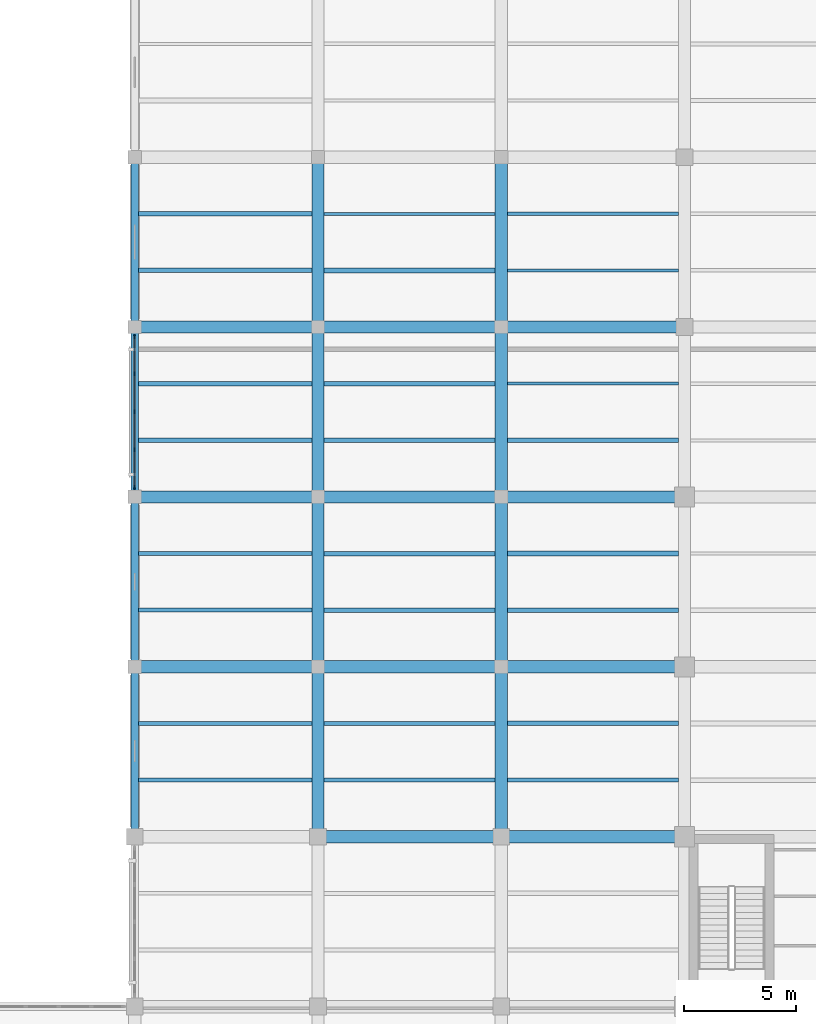
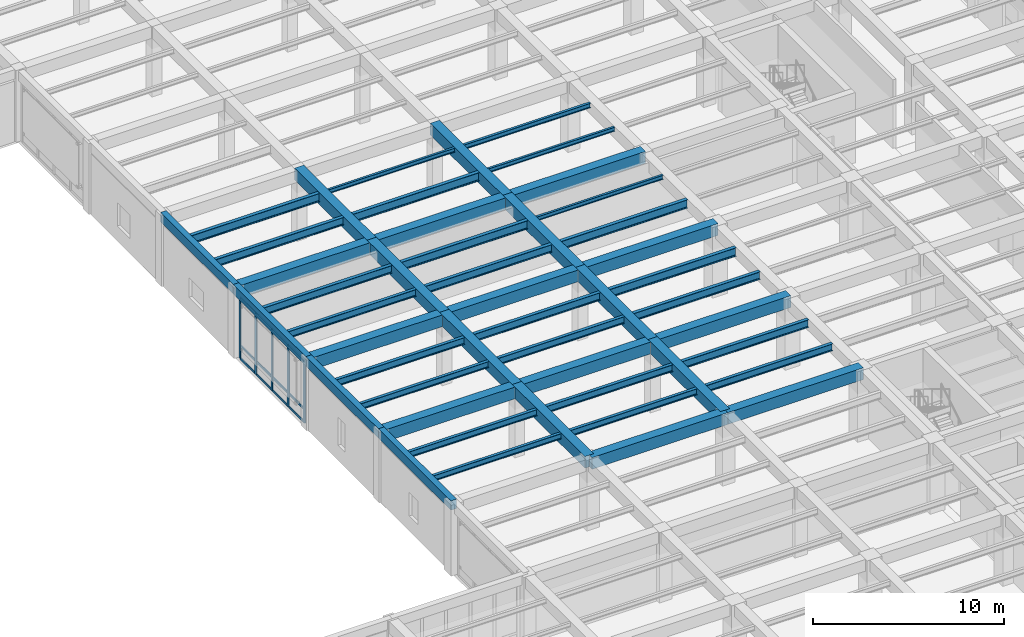
# One storey, part 11 of 57: 47 beams, 17 members, 1 element without a shape of its own.
"""IFC4 building model written with IfcOpenShell, lengths in metres."""

from ifc_helpers import new_model, si_unit, direction, frame, origin, origin_2d, place, context, subcontext, project, spatial, rectangle, i_section, extrude, material, material_profile, profile_set, type_object, element, aggregate, save


model = new_model("IFC4")

# Units and contexts
model_context = context("Model", 3, precision=1e-05, world=origin(), true_north=direction((0.0, 1.0)))
body_context = subcontext(model_context, "Body", "Model", "MODEL_VIEW")
ifc_project = project(units=[si_unit("LENGTHUNIT", "METRE"), si_unit("AREAUNIT", "SQUARE_METRE"), si_unit("VOLUMEUNIT", "CUBIC_METRE"), si_unit("PLANEANGLEUNIT", "RADIAN"), si_unit("MASSUNIT", "GRAM", prefix="KILO")], contexts=[model_context])

# Site, building, storey
site_placement = place(None, origin())
site = spatial("IfcSite", under=ifc_project, at=site_placement, CompositionType="ELEMENT")
building_placement = place(site_placement, origin())
building = spatial("IfcBuilding", under=site, at=building_placement, Name="Qandaris Square Conservatory and Botanical Centre", CompositionType="ELEMENT")
storey_placement = place(building_placement, frame((0.0, 0.0, 5.39990234375)))
storey = spatial("IfcBuildingStorey", under=building, at=storey_placement, Name="L01", CompositionType="ELEMENT", Elevation=5.39990234375)

# Beams
ifc_material_1 = material(Name="Steel S355", Category="steel")
ifc_material_profile_1 = material_profile(ifc_material_1, i_section(OverallWidth=0.18994140625, OverallDepth=0.449951171875, WebThickness=0.009521484375, FlangeThickness=0.0146484375, FilletRadius=0.02099609375, at=origin_2d()), Name="IPE 450")
ifc_profile_set_1 = profile_set([ifc_material_profile_1], Name="Steel S355")
beam_type_1 = type_object("IfcBeamType", Name="Composite Archive Joist IPE 450", PredefinedType="JOIST", material=ifc_profile_set_1)
for number, where, z_axis, x_axis, name in (
    (1, (114.77490234375, 59.666748046875, 4.28515625), (1.0, 0.0, 0.0), (0.0, 1.0, 0.0), "L01 Composite Joist 1178"),
    (2, (114.77490234375, 64.7333984375, 4.28515625), (1.0, 0.0, 0.0), (0.0, 1.0, 0.0), "L01 Composite Joist 1179"),
):
    element("IfcBeam", number, at=place(storey_placement, frame(where, z_axis=z_axis, x_axis=x_axis)), inside=storey, type_object=beam_type_1, Name=name, PredefinedType="JOIST", context=body_context, shape_type="SweptSolid", body=[
        extrude(i_section(OverallWidth=0.18994140625, OverallDepth=0.449951171875, WebThickness=0.009521484375, FlangeThickness=0.0146484375, FilletRadius=0.02099609375, at=origin_2d()), origin(), (0.0, 0.0, 1.0), 7.75),
    ])
for number, where, z_axis, x_axis, name in (
    (3, (123.074951171875, 52.066650390625, 4.28515625), (1.0, 0.0, 0.0), (0.0, 1.0, 0.0), "L01 Composite Joist 1198"),
    (4, (123.074951171875, 57.13330078125, 4.28515625), (1.0, 0.0, 0.0), (0.0, 1.0, 0.0), "L01 Composite Joist 1199"),
    (5, (131.27490234375, 49.533203125, 4.28515625), (1.0, 0.0, 0.0), (0.0, 1.0, 0.0), "L01 Composite Joist 1219"),
):
    element("IfcBeam", number, at=place(storey_placement, frame(where, z_axis=z_axis, x_axis=x_axis)), inside=storey, type_object=beam_type_1, Name=name, PredefinedType="JOIST", context=body_context, shape_type="SweptSolid", body=[
        extrude(i_section(OverallWidth=0.18994140625, OverallDepth=0.449951171875, WebThickness=0.009521484375, FlangeThickness=0.0146484375, FilletRadius=0.02099609375, at=origin_2d()), origin(), (0.0, 0.0, 1.0), 7.650146484375),
    ])
ifc_material_profile_2 = material_profile(ifc_material_1, i_section(OverallWidth=0.199951171875, OverallDepth=0.5, WebThickness=0.01025390625, FlangeThickness=0.01611328125, FilletRadius=0.02099609375, at=origin_2d()), Name="IPE 500")
ifc_profile_set_2 = profile_set([ifc_material_profile_2], Name="Steel S355")
beam_type_2 = type_object("IfcBeamType", Name="Composite Gallery Joist IPE 500", PredefinedType="JOIST", material=ifc_profile_set_2)
for number, where, z_axis, x_axis, name in (
    (6, (114.77490234375, 67.2666015625, 4.260009765625), (1.0, 0.0, 0.0), (0.0, 1.0, 0.0), "L01 Composite Joist 1180"),
    (7, (114.77490234375, 72.333251953125, 4.260009765625), (1.0, 0.0, 0.0), (0.0, 1.0, 0.0), "L01 Composite Joist 1181"),
):
    element("IfcBeam", number, at=place(storey_placement, frame(where, z_axis=z_axis, x_axis=x_axis)), inside=storey, type_object=beam_type_2, Name=name, PredefinedType="JOIST", context=body_context, shape_type="SweptSolid", body=[
        extrude(i_section(OverallWidth=0.199951171875, OverallDepth=0.5, WebThickness=0.01025390625, FlangeThickness=0.01611328125, FilletRadius=0.02099609375, at=origin_2d()), origin(), (0.0, 0.0, 1.0), 7.75),
    ])
for number, where, z_axis, x_axis, name in (
    (8, (123.074951171875, 59.666748046875, 4.260009765625), (1.0, 0.0, 0.0), (0.0, 1.0, 0.0), "L01 Composite Joist 1200"),
    (9, (123.074951171875, 64.7333984375, 4.260009765625), (1.0, 0.0, 0.0), (0.0, 1.0, 0.0), "L01 Composite Joist 1201"),
    (10, (131.27490234375, 52.066650390625, 4.260009765625), (1.0, 0.0, 0.0), (0.0, 1.0, 0.0), "L01 Composite Joist 1220"),
    (11, (131.27490234375, 57.13330078125, 4.260009765625), (1.0, 0.0, 0.0), (0.0, 1.0, 0.0), "L01 Composite Joist 1221"),
):
    element("IfcBeam", number, at=place(storey_placement, frame(where, z_axis=z_axis, x_axis=x_axis)), inside=storey, type_object=beam_type_2, Name=name, PredefinedType="JOIST", context=body_context, shape_type="SweptSolid", body=[
        extrude(i_section(OverallWidth=0.199951171875, OverallDepth=0.5, WebThickness=0.01025390625, FlangeThickness=0.01611328125, FilletRadius=0.02099609375, at=origin_2d()), origin(), (0.0, 0.0, 1.0), 7.650146484375),
    ])
ifc_material_profile_3 = material_profile(ifc_material_1, i_section(OverallWidth=0.14990234375, OverallDepth=0.300048828125, WebThickness=0.007080078125, FlangeThickness=0.0107421875, FilletRadius=0.014892578125, at=origin_2d()), Name="IPE 300")
ifc_profile_set_3 = profile_set([ifc_material_profile_3], Name="Steel S355")
beam_type_3 = type_object("IfcBeamType", Name="Composite Lab Joist IPE 300", PredefinedType="JOIST", material=ifc_profile_set_3)
beam_1_placement = place(storey_placement, frame((131.27490234375, 74.86669921875, 4.360107421875), z_axis=(1.0, 0.0, 0.0), x_axis=(0.0, 1.0, 0.0)))
element("IfcBeam", 12, at=beam_1_placement, inside=storey, type_object=beam_type_3, Name="L01 Composite Joist 1226", PredefinedType="JOIST", context=body_context, shape_type="SweptSolid", body=[
    extrude(i_section(OverallWidth=0.14990234375, OverallDepth=0.300048828125, WebThickness=0.007080078125, FlangeThickness=0.0107421875, FilletRadius=0.014892578125, at=origin_2d()), origin(), (0.0, 0.0, 1.0), 7.650146484375),
])
ifc_material_profile_4 = material_profile(ifc_material_1, i_section(OverallWidth=0.169921875, OverallDepth=0.360107421875, WebThickness=0.008056640625, FlangeThickness=0.0126953125, FilletRadius=0.01806640625, at=origin_2d()), Name="IPE 360")
ifc_profile_set_4 = profile_set([ifc_material_profile_4], Name="Steel S355")
beam_type_4 = type_object("IfcBeamType", Name="Composite Lab Joist IPE 360", PredefinedType="JOIST", material=ifc_profile_set_4)
beam_2_placement = place(storey_placement, frame((114.77490234375, 49.533203125, 4.330078125), z_axis=(1.0, 0.0, 0.0), x_axis=(0.0, 1.0, 0.0)))
element("IfcBeam", 13, at=beam_2_placement, inside=storey, type_object=beam_type_4, Name="L01 Composite Joist 1175", PredefinedType="JOIST", context=body_context, shape_type="SweptSolid", body=[
    extrude(i_section(OverallWidth=0.169921875, OverallDepth=0.360107421875, WebThickness=0.008056640625, FlangeThickness=0.0126953125, FilletRadius=0.01806640625, at=origin_2d()), origin(), (0.0, 0.0, 1.0), 7.75),
])
ifc_material_profile_5 = material_profile(ifc_material_1, i_section(OverallWidth=0.179931640625, OverallDepth=0.39990234375, WebThickness=0.008544921875, FlangeThickness=0.013427734375, FilletRadius=0.02099609375, at=origin_2d()), Name="IPE 400")
ifc_profile_set_5 = profile_set([ifc_material_profile_5], Name="Steel S355")
beam_type_5 = type_object("IfcBeamType", Name="Composite Plinth Joist IPE 400", PredefinedType="JOIST", material=ifc_profile_set_5)
for number, where, z_axis, x_axis, name in (
    (14, (114.77490234375, 52.066650390625, 4.31005859375), (1.0, 0.0, 0.0), (0.0, 1.0, 0.0), "L01 Composite Joist 1176"),
    (15, (114.77490234375, 57.13330078125, 4.31005859375), (1.0, 0.0, 0.0), (0.0, 1.0, 0.0), "L01 Composite Joist 1177"),
):
    element("IfcBeam", number, at=place(storey_placement, frame(where, z_axis=z_axis, x_axis=x_axis)), inside=storey, type_object=beam_type_5, Name=name, PredefinedType="JOIST", context=body_context, shape_type="SweptSolid", body=[
        extrude(i_section(OverallWidth=0.179931640625, OverallDepth=0.39990234375, WebThickness=0.008544921875, FlangeThickness=0.013427734375, FilletRadius=0.02099609375, at=origin_2d()), origin(), (0.0, 0.0, 1.0), 7.75),
    ])
beam_3_placement = place(storey_placement, frame((123.074951171875, 49.533203125, 4.31005859375), z_axis=(1.0, 0.0, 0.0), x_axis=(0.0, 1.0, 0.0)))
element("IfcBeam", 16, at=beam_3_placement, inside=storey, type_object=beam_type_5, Name="L01 Composite Joist 1197", PredefinedType="JOIST", context=body_context, shape_type="SweptSolid", body=[
    extrude(i_section(OverallWidth=0.179931640625, OverallDepth=0.39990234375, WebThickness=0.008544921875, FlangeThickness=0.013427734375, FilletRadius=0.02099609375, at=origin_2d()), origin(), (0.0, 0.0, 1.0), 7.650146484375),
])

# Curtain wall, members
ifc_material_2 = material(Name="Anodised Aluminium", Category="aluminium")
curtain_wall_type = type_object("IfcCurtainWallType", Name="Unitised Curtain Wall CW-4-680x392", PredefinedType="USERDEFINED", material=ifc_material_2)
curtain_wall_placement = place(storey_placement, origin())
curtain_wall = element("IfcCurtainWall", 17, at=curtain_wall_placement, inside=storey, type_object=curtain_wall_type, Name="Curtain Wall CW-TWR-L01-4-6", ObjectType="GLAZED CURTAIN WALL", PredefinedType="USERDEFINED")
ifc_material_profile_6 = material_profile(ifc_material_2, rectangle(XDim=0.06494140625, YDim=0.179931640625, at=origin_2d()), Name="ALU-MUL 65x180")
ifc_profile_set_6 = profile_set([ifc_material_profile_6], Name="Anodised Aluminium")
member_type_1 = type_object("IfcMemberType", Name="Curtain Wall Mullion 65x180", PredefinedType="MULLION", material=ifc_profile_set_6)
member_1_placement = place(storey_placement, frame((114.60009765625, 69.367431640625, 0.0), z_axis=(0.0, 0.0, 1.0), x_axis=(1.0, 0.0, 0.0)))
member_1 = element("IfcMember", 18, at=member_1_placement, type_object=member_type_1, Name="CW-4-680x392 mullion 1", PredefinedType="MULLION", context=body_context, shape_type="SweptSolid", body=[
    extrude(rectangle(XDim=0.06494140625, YDim=0.179931640625, at=origin_2d()), origin(), (0.0, 0.0, 1.0), 3.920166015625),
])
member_2_placement = place(storey_placement, frame((114.60009765625, 67.699951171875, 0.0), z_axis=(0.0, 0.0, 1.0), x_axis=(1.0, 0.0, 0.0)))
member_2 = element("IfcMember", 19, at=member_2_placement, type_object=member_type_1, Name="CW-4-680x392 mullion 2", PredefinedType="MULLION", context=body_context, shape_type="SweptSolid", body=[
    extrude(rectangle(XDim=0.06494140625, YDim=0.179931640625, at=origin_2d()), origin(), (0.0, 0.0, 1.0), 3.920166015625),
])
member_3_placement = place(storey_placement, frame((114.60009765625, 66.0, 0.0), z_axis=(0.0, 0.0, 1.0), x_axis=(1.0, 0.0, 0.0)))
member_3 = element("IfcMember", 20, at=member_3_placement, type_object=member_type_1, Name="CW-4-680x392 mullion 3", PredefinedType="MULLION", context=body_context, shape_type="SweptSolid", body=[
    extrude(rectangle(XDim=0.06494140625, YDim=0.179931640625, at=origin_2d()), origin(), (0.0, 0.0, 1.0), 3.920166015625),
])
member_4_placement = place(storey_placement, frame((114.60009765625, 64.300048828125, 0.0), z_axis=(0.0, 0.0, 1.0), x_axis=(1.0, 0.0, 0.0)))
member_4 = element("IfcMember", 21, at=member_4_placement, type_object=member_type_1, Name="CW-4-680x392 mullion 4", PredefinedType="MULLION", context=body_context, shape_type="SweptSolid", body=[
    extrude(rectangle(XDim=0.06494140625, YDim=0.179931640625, at=origin_2d()), origin(), (0.0, 0.0, 1.0), 3.920166015625),
])
member_5_placement = place(storey_placement, frame((114.60009765625, 62.632568359375, 0.0), z_axis=(0.0, 0.0, 1.0), x_axis=(1.0, 0.0, 0.0)))
member_5 = element("IfcMember", 22, at=member_5_placement, type_object=member_type_1, Name="CW-4-680x392 mullion 5", PredefinedType="MULLION", context=body_context, shape_type="SweptSolid", body=[
    extrude(rectangle(XDim=0.06494140625, YDim=0.179931640625, at=origin_2d()), origin(), (0.0, 0.0, 1.0), 3.920166015625),
])
ifc_material_profile_7 = material_profile(ifc_material_2, rectangle(XDim=0.06494140625, YDim=0.139892578125, at=origin_2d()), Name="ALU-TRN 65x140")
ifc_profile_set_7 = profile_set([ifc_material_profile_7], Name="Anodised Aluminium")
member_type_2 = type_object("IfcMemberType", Name="Curtain Wall Transom 65x140", PredefinedType="USERDEFINED", material=ifc_profile_set_7)
member_6_placement = place(storey_placement, frame((114.60009765625, 69.3349609375, 0.03271484375), z_axis=(0.0, -1.0, 0.0), x_axis=(1.0, 0.0, 0.0)))
member_6 = element("IfcMember", 23, at=member_6_placement, type_object=member_type_2, Name="CW-4-680x392 transom 1.1", ObjectType="TRANSOM", PredefinedType="USERDEFINED", context=body_context, shape_type="SweptSolid", body=[
    extrude(rectangle(XDim=0.06494140625, YDim=0.139892578125, at=origin_2d()), origin(), (0.0, 0.0, 1.0), 1.6025390625),
])
member_7_placement = place(storey_placement, frame((114.60009765625, 69.3349609375, 0.85009765625), z_axis=(0.0, -1.0, 0.0), x_axis=(1.0, 0.0, 0.0)))
member_7 = element("IfcMember", 24, at=member_7_placement, type_object=member_type_2, Name="CW-4-680x392 transom 1.2", ObjectType="TRANSOM", PredefinedType="USERDEFINED", context=body_context, shape_type="SweptSolid", body=[
    extrude(rectangle(XDim=0.06494140625, YDim=0.139892578125, at=origin_2d()), origin(), (0.0, 0.0, 1.0), 1.6025390625),
])
member_8_placement = place(storey_placement, frame((114.60009765625, 69.3349609375, 3.8876953125), z_axis=(0.0, -1.0, 0.0), x_axis=(1.0, 0.0, 0.0)))
member_8 = element("IfcMember", 25, at=member_8_placement, type_object=member_type_2, Name="CW-4-680x392 transom 1.3", ObjectType="TRANSOM", PredefinedType="USERDEFINED", context=body_context, shape_type="SweptSolid", body=[
    extrude(rectangle(XDim=0.06494140625, YDim=0.139892578125, at=origin_2d()), origin(), (0.0, 0.0, 1.0), 1.6025390625),
])
member_9_placement = place(storey_placement, frame((114.60009765625, 67.66748046875, 0.03271484375), z_axis=(0.0, -1.0, 0.0), x_axis=(1.0, 0.0, 0.0)))
member_9 = element("IfcMember", 26, at=member_9_placement, type_object=member_type_2, Name="CW-4-680x392 transom 2.1", ObjectType="TRANSOM", PredefinedType="USERDEFINED", context=body_context, shape_type="SweptSolid", body=[
    extrude(rectangle(XDim=0.06494140625, YDim=0.139892578125, at=origin_2d()), origin(), (0.0, 0.0, 1.0), 1.635009765625),
])
member_10_placement = place(storey_placement, frame((114.60009765625, 67.66748046875, 0.85009765625), z_axis=(0.0, -1.0, 0.0), x_axis=(1.0, 0.0, 0.0)))
member_10 = element("IfcMember", 27, at=member_10_placement, type_object=member_type_2, Name="CW-4-680x392 transom 2.2", ObjectType="TRANSOM", PredefinedType="USERDEFINED", context=body_context, shape_type="SweptSolid", body=[
    extrude(rectangle(XDim=0.06494140625, YDim=0.139892578125, at=origin_2d()), origin(), (0.0, 0.0, 1.0), 1.635009765625),
])
member_11_placement = place(storey_placement, frame((114.60009765625, 67.66748046875, 3.8876953125), z_axis=(0.0, -1.0, 0.0), x_axis=(1.0, 0.0, 0.0)))
member_11 = element("IfcMember", 28, at=member_11_placement, type_object=member_type_2, Name="CW-4-680x392 transom 2.3", ObjectType="TRANSOM", PredefinedType="USERDEFINED", context=body_context, shape_type="SweptSolid", body=[
    extrude(rectangle(XDim=0.06494140625, YDim=0.139892578125, at=origin_2d()), origin(), (0.0, 0.0, 1.0), 1.635009765625),
])
member_12_placement = place(storey_placement, frame((114.60009765625, 65.967529296875, 0.03271484375), z_axis=(0.0, -1.0, 0.0), x_axis=(1.0, 0.0, 0.0)))
member_12 = element("IfcMember", 29, at=member_12_placement, type_object=member_type_2, Name="CW-4-680x392 transom 3.1", ObjectType="TRANSOM", PredefinedType="USERDEFINED", context=body_context, shape_type="SweptSolid", body=[
    extrude(rectangle(XDim=0.06494140625, YDim=0.139892578125, at=origin_2d()), origin(), (0.0, 0.0, 1.0), 1.635009765625),
])
member_13_placement = place(storey_placement, frame((114.60009765625, 65.967529296875, 0.85009765625), z_axis=(0.0, -1.0, 0.0), x_axis=(1.0, 0.0, 0.0)))
member_13 = element("IfcMember", 30, at=member_13_placement, type_object=member_type_2, Name="CW-4-680x392 transom 3.2", ObjectType="TRANSOM", PredefinedType="USERDEFINED", context=body_context, shape_type="SweptSolid", body=[
    extrude(rectangle(XDim=0.06494140625, YDim=0.139892578125, at=origin_2d()), origin(), (0.0, 0.0, 1.0), 1.635009765625),
])
member_14_placement = place(storey_placement, frame((114.60009765625, 65.967529296875, 3.8876953125), z_axis=(0.0, -1.0, 0.0), x_axis=(1.0, 0.0, 0.0)))
member_14 = element("IfcMember", 31, at=member_14_placement, type_object=member_type_2, Name="CW-4-680x392 transom 3.3", ObjectType="TRANSOM", PredefinedType="USERDEFINED", context=body_context, shape_type="SweptSolid", body=[
    extrude(rectangle(XDim=0.06494140625, YDim=0.139892578125, at=origin_2d()), origin(), (0.0, 0.0, 1.0), 1.635009765625),
])
member_15_placement = place(storey_placement, frame((114.60009765625, 64.267578125, 0.03271484375), z_axis=(0.0, -1.0, 0.0), x_axis=(1.0, 0.0, 0.0)))
member_15 = element("IfcMember", 32, at=member_15_placement, type_object=member_type_2, Name="CW-4-680x392 transom 4.1", ObjectType="TRANSOM", PredefinedType="USERDEFINED", context=body_context, shape_type="SweptSolid", body=[
    extrude(rectangle(XDim=0.06494140625, YDim=0.139892578125, at=origin_2d()), origin(), (0.0, 0.0, 1.0), 1.6025390625),
])
member_16_placement = place(storey_placement, frame((114.60009765625, 64.267578125, 0.85009765625), z_axis=(0.0, -1.0, 0.0), x_axis=(1.0, 0.0, 0.0)))
member_16 = element("IfcMember", 33, at=member_16_placement, type_object=member_type_2, Name="CW-4-680x392 transom 4.2", ObjectType="TRANSOM", PredefinedType="USERDEFINED", context=body_context, shape_type="SweptSolid", body=[
    extrude(rectangle(XDim=0.06494140625, YDim=0.139892578125, at=origin_2d()), origin(), (0.0, 0.0, 1.0), 1.6025390625),
])
member_17_placement = place(storey_placement, frame((114.60009765625, 64.267578125, 3.8876953125), z_axis=(0.0, -1.0, 0.0), x_axis=(1.0, 0.0, 0.0)))
member_17 = element("IfcMember", 34, at=member_17_placement, type_object=member_type_2, Name="CW-4-680x392 transom 4.3", ObjectType="TRANSOM", PredefinedType="USERDEFINED", context=body_context, shape_type="SweptSolid", body=[
    extrude(rectangle(XDim=0.06494140625, YDim=0.139892578125, at=origin_2d()), origin(), (0.0, 0.0, 1.0), 1.6025390625),
])
aggregate(curtain_wall, [member_1, member_2, member_3, member_4, member_5, member_6, member_7, member_8, member_9, member_10, member_11, member_12, member_13, member_14, member_15, member_16, member_17])

# Beams
ifc_material_profile_8 = material_profile(ifc_material_1, i_section(OverallWidth=0.2099609375, OverallDepth=0.550048828125, WebThickness=0.010986328125, FlangeThickness=0.01708984375, FilletRadius=0.02392578125, at=origin_2d()), Name="IPE 550")
ifc_profile_set_8 = profile_set([ifc_material_profile_8], Name="Steel S355")
beam_type_6 = type_object("IfcBeamType", Name="Long-Span Foyer Joist IPE 550", PredefinedType="JOIST", material=ifc_profile_set_8)
beam_4_placement = place(storey_placement, frame((114.77490234375, 74.86669921875, 4.235107421875), z_axis=(1.0, 0.0, 0.0), x_axis=(0.0, 1.0, 0.0)))
element("IfcBeam", 35, at=beam_4_placement, inside=storey, type_object=beam_type_6, Name="L01 Composite Joist 1182", PredefinedType="JOIST", context=body_context, shape_type="SweptSolid", body=[
    extrude(i_section(OverallWidth=0.2099609375, OverallDepth=0.550048828125, WebThickness=0.010986328125, FlangeThickness=0.01708984375, FilletRadius=0.02392578125, at=origin_2d()), origin(), (0.0, 0.0, 1.0), 7.75),
])
for number, where, z_axis, x_axis, name in (
    (36, (123.074951171875, 67.2666015625, 4.235107421875), (1.0, 0.0, 0.0), (0.0, 1.0, 0.0), "L01 Composite Joist 1202"),
    (37, (123.074951171875, 72.333251953125, 4.235107421875), (1.0, 0.0, 0.0), (0.0, 1.0, 0.0), "L01 Composite Joist 1203"),
    (38, (131.27490234375, 59.666748046875, 4.235107421875), (1.0, 0.0, 0.0), (0.0, 1.0, 0.0), "L01 Composite Joist 1222"),
    (39, (131.27490234375, 64.7333984375, 4.235107421875), (1.0, 0.0, 0.0), (0.0, 1.0, 0.0), "L01 Composite Joist 1223"),
):
    element("IfcBeam", number, at=place(storey_placement, frame(where, z_axis=z_axis, x_axis=x_axis)), inside=storey, type_object=beam_type_6, Name=name, PredefinedType="JOIST", context=body_context, shape_type="SweptSolid", body=[
        extrude(i_section(OverallWidth=0.2099609375, OverallDepth=0.550048828125, WebThickness=0.010986328125, FlangeThickness=0.01708984375, FilletRadius=0.02392578125, at=origin_2d()), origin(), (0.0, 0.0, 1.0), 7.650146484375),
    ])
ifc_material_3 = material(Name="Concrete C50/60", Category="concrete")
ifc_material_profile_9 = material_profile(ifc_material_3, rectangle(XDim=0.35009765625, YDim=0.60009765625, at=origin_2d()), Name="RC-SP 350x600")
ifc_profile_set_9 = profile_set([ifc_material_profile_9], Name="Concrete C50/60")
beam_type_7 = type_object("IfcBeamType", Name="RC Edge Spandrel Beam 350x600", PredefinedType="SPANDREL", material=ifc_profile_set_9)
beam_5_placement = place(storey_placement, frame((114.60009765625, 47.0, 4.22021484375), z_axis=(0.0, 1.0, 0.0), x_axis=(-1.0, 0.0, 0.0)))
element("IfcBeam", 40, at=beam_5_placement, inside=storey, type_object=beam_type_7, Name="L01 Frame Beam 1074", PredefinedType="SPANDREL", context=body_context, shape_type="SweptSolid", body=[
    extrude(rectangle(XDim=0.35009765625, YDim=0.60009765625, at=origin_2d()), origin(), (0.0, 0.0, 1.0), 7.60009765625),
])
beam_6_placement = place(storey_placement, frame((114.60009765625, 54.60009765625, 4.22021484375), z_axis=(0.0, 1.0, 0.0), x_axis=(-1.0, 0.0, 0.0)))
element("IfcBeam", 41, at=beam_6_placement, inside=storey, type_object=beam_type_7, Name="L01 Frame Beam 1075", PredefinedType="SPANDREL", context=body_context, shape_type="SweptSolid", body=[
    extrude(rectangle(XDim=0.35009765625, YDim=0.60009765625, at=origin_2d()), origin(), (0.0, 0.0, 1.0), 7.599853515625),
])
beam_7_placement = place(storey_placement, frame((114.60009765625, 62.199951171875, 4.22021484375), z_axis=(0.0, 1.0, 0.0), x_axis=(-1.0, 0.0, 0.0)))
element("IfcBeam", 42, at=beam_7_placement, inside=storey, type_object=beam_type_7, Name="L01 Frame Beam 1076", PredefinedType="SPANDREL", context=body_context, shape_type="SweptSolid", body=[
    extrude(rectangle(XDim=0.35009765625, YDim=0.60009765625, at=origin_2d()), origin(), (0.0, 0.0, 1.0), 7.60009765625),
])
beam_8_placement = place(storey_placement, frame((114.60009765625, 69.800048828125, 4.22021484375), z_axis=(0.0, 1.0, 0.0), x_axis=(-1.0, 0.0, 0.0)))
element("IfcBeam", 43, at=beam_8_placement, inside=storey, type_object=beam_type_7, Name="L01 Frame Beam 1077", PredefinedType="SPANDREL", context=body_context, shape_type="SweptSolid", body=[
    extrude(rectangle(XDim=0.35009765625, YDim=0.60009765625, at=origin_2d()), origin(), (0.0, 0.0, 1.0), 7.599853515625),
])
ifc_material_profile_10 = material_profile(ifc_material_3, rectangle(XDim=0.550048828125, YDim=0.75, at=origin_2d()), Name="RC-BM 550x750")
ifc_profile_set_10 = profile_set([ifc_material_profile_10], Name="Concrete C50/60")
beam_type_8 = type_object("IfcBeamType", Name="RC Plinth Girder 550x750", PredefinedType="BEAM", material=ifc_profile_set_10)
for number, where, z_axis, x_axis, name in (
    (44, (122.800048828125, 47.0, 4.14501953125), (1.0, 0.0, 0.0), (0.0, 1.0, 0.0), "L01 Frame Beam 0949"),
    (45, (131.0, 47.0, 4.14501953125), (1.0, 0.0, 0.0), (0.0, 1.0, 0.0), "L01 Frame Beam 0950"),
    (46, (114.60009765625, 54.60009765625, 4.14501953125), (1.0, 0.0, 0.0), (0.0, 1.0, 0.0), "L01 Frame Beam 0954"),
    (47, (122.800048828125, 54.60009765625, 4.14501953125), (1.0, 0.0, 0.0), (0.0, 1.0, 0.0), "L01 Frame Beam 0955"),
    (48, (131.0, 54.60009765625, 4.14501953125), (1.0, 0.0, 0.0), (0.0, 1.0, 0.0), "L01 Frame Beam 0956"),
    (49, (114.60009765625, 62.199951171875, 4.14501953125), (1.0, 0.0, 0.0), (0.0, 1.0, 0.0), "L01 Frame Beam 0960"),
    (50, (122.800048828125, 62.199951171875, 4.14501953125), (1.0, 0.0, 0.0), (0.0, 1.0, 0.0), "L01 Frame Beam 0961"),
    (51, (131.0, 62.199951171875, 4.14501953125), (1.0, 0.0, 0.0), (0.0, 1.0, 0.0), "L01 Frame Beam 0962"),
    (52, (114.60009765625, 69.800048828125, 4.14501953125), (1.0, 0.0, 0.0), (0.0, 1.0, 0.0), "L01 Frame Beam 0966"),
    (53, (122.800048828125, 69.800048828125, 4.14501953125), (1.0, 0.0, 0.0), (0.0, 1.0, 0.0), "L01 Frame Beam 0967"),
    (54, (131.0, 69.800048828125, 4.14501953125), (1.0, 0.0, 0.0), (0.0, 1.0, 0.0), "L01 Frame Beam 0968"),
):
    element("IfcBeam", number, at=place(storey_placement, frame(where, z_axis=z_axis, x_axis=x_axis)), inside=storey, type_object=beam_type_8, Name=name, PredefinedType="BEAM", context=body_context, shape_type="SweptSolid", body=[
        extrude(rectangle(XDim=0.550048828125, YDim=0.75, at=origin_2d()), origin(), (0.0, 0.0, 1.0), 8.199951171875),
    ])
beam_9_placement = place(storey_placement, frame((122.800048828125, 47.0, 4.14501953125), z_axis=(0.0, 1.0, 0.0), x_axis=(-1.0, 0.0, 0.0)))
element("IfcBeam", 55, at=beam_9_placement, inside=storey, type_object=beam_type_8, Name="L01 Frame Beam 1087", PredefinedType="BEAM", context=body_context, shape_type="SweptSolid", body=[
    extrude(rectangle(XDim=0.550048828125, YDim=0.75, at=origin_2d()), origin(), (0.0, 0.0, 1.0), 7.60009765625),
])
beam_10_placement = place(storey_placement, frame((122.800048828125, 54.60009765625, 4.14501953125), z_axis=(0.0, 1.0, 0.0), x_axis=(-1.0, 0.0, 0.0)))
element("IfcBeam", 56, at=beam_10_placement, inside=storey, type_object=beam_type_8, Name="L01 Frame Beam 1088", PredefinedType="BEAM", context=body_context, shape_type="SweptSolid", body=[
    extrude(rectangle(XDim=0.550048828125, YDim=0.75, at=origin_2d()), origin(), (0.0, 0.0, 1.0), 7.599853515625),
])
beam_11_placement = place(storey_placement, frame((122.800048828125, 62.199951171875, 4.14501953125), z_axis=(0.0, 1.0, 0.0), x_axis=(-1.0, 0.0, 0.0)))
element("IfcBeam", 57, at=beam_11_placement, inside=storey, type_object=beam_type_8, Name="L01 Frame Beam 1089", PredefinedType="BEAM", context=body_context, shape_type="SweptSolid", body=[
    extrude(rectangle(XDim=0.550048828125, YDim=0.75, at=origin_2d()), origin(), (0.0, 0.0, 1.0), 7.60009765625),
])
beam_12_placement = place(storey_placement, frame((122.800048828125, 69.800048828125, 4.14501953125), z_axis=(0.0, 1.0, 0.0), x_axis=(-1.0, 0.0, 0.0)))
element("IfcBeam", 58, at=beam_12_placement, inside=storey, type_object=beam_type_8, Name="L01 Frame Beam 1090", PredefinedType="BEAM", context=body_context, shape_type="SweptSolid", body=[
    extrude(rectangle(XDim=0.550048828125, YDim=0.75, at=origin_2d()), origin(), (0.0, 0.0, 1.0), 7.599853515625),
])
beam_13_placement = place(storey_placement, frame((131.0, 47.0, 4.14501953125), z_axis=(0.0, 1.0, 0.0), x_axis=(-1.0, 0.0, 0.0)))
element("IfcBeam", 59, at=beam_13_placement, inside=storey, type_object=beam_type_8, Name="L01 Frame Beam 1099", PredefinedType="BEAM", context=body_context, shape_type="SweptSolid", body=[
    extrude(rectangle(XDim=0.550048828125, YDim=0.75, at=origin_2d()), origin(), (0.0, 0.0, 1.0), 7.60009765625),
])
beam_14_placement = place(storey_placement, frame((131.0, 54.60009765625, 4.14501953125), z_axis=(0.0, 1.0, 0.0), x_axis=(-1.0, 0.0, 0.0)))
element("IfcBeam", 60, at=beam_14_placement, inside=storey, type_object=beam_type_8, Name="L01 Frame Beam 1100", PredefinedType="BEAM", context=body_context, shape_type="SweptSolid", body=[
    extrude(rectangle(XDim=0.550048828125, YDim=0.75, at=origin_2d()), origin(), (0.0, 0.0, 1.0), 7.599853515625),
])
beam_15_placement = place(storey_placement, frame((131.0, 62.199951171875, 4.14501953125), z_axis=(0.0, 1.0, 0.0), x_axis=(-1.0, 0.0, 0.0)))
element("IfcBeam", 61, at=beam_15_placement, inside=storey, type_object=beam_type_8, Name="L01 Frame Beam 1101", PredefinedType="BEAM", context=body_context, shape_type="SweptSolid", body=[
    extrude(rectangle(XDim=0.550048828125, YDim=0.75, at=origin_2d()), origin(), (0.0, 0.0, 1.0), 7.60009765625),
])
beam_16_placement = place(storey_placement, frame((131.0, 69.800048828125, 4.14501953125), z_axis=(0.0, 1.0, 0.0), x_axis=(-1.0, 0.0, 0.0)))
element("IfcBeam", 62, at=beam_16_placement, inside=storey, type_object=beam_type_8, Name="L01 Frame Beam 1102", PredefinedType="BEAM", context=body_context, shape_type="SweptSolid", body=[
    extrude(rectangle(XDim=0.550048828125, YDim=0.75, at=origin_2d()), origin(), (0.0, 0.0, 1.0), 7.599853515625),
])
ifc_material_profile_11 = material_profile(ifc_material_1, i_section(OverallWidth=0.135009765625, OverallDepth=0.27001953125, WebThickness=0.006591796875, FlangeThickness=0.01025390625, FilletRadius=0.014892578125, at=origin_2d()), Name="IPE 270")
ifc_profile_set_11 = profile_set([ifc_material_profile_11], Name="Steel S355")
beam_type_9 = type_object("IfcBeamType", Name="Steel Floor Joist IPE 270", PredefinedType="JOIST", material=ifc_profile_set_11)
for number, where, z_axis, x_axis, name in (
    (63, (123.074951171875, 74.86669921875, 4.375), (1.0, 0.0, 0.0), (0.0, 1.0, 0.0), "L01 Composite Joist 1204"),
    (64, (131.27490234375, 67.2666015625, 4.375), (1.0, 0.0, 0.0), (0.0, 1.0, 0.0), "L01 Composite Joist 1224"),
    (65, (131.27490234375, 72.333251953125, 4.375), (1.0, 0.0, 0.0), (0.0, 1.0, 0.0), "L01 Composite Joist 1225"),
):
    element("IfcBeam", number, at=place(storey_placement, frame(where, z_axis=z_axis, x_axis=x_axis)), inside=storey, type_object=beam_type_9, Name=name, PredefinedType="JOIST", context=body_context, shape_type="SweptSolid", body=[
        extrude(i_section(OverallWidth=0.135009765625, OverallDepth=0.27001953125, WebThickness=0.006591796875, FlangeThickness=0.01025390625, FilletRadius=0.014892578125, at=origin_2d()), origin(), (0.0, 0.0, 1.0), 7.650146484375),
    ])

save(model, "model.ifc")
